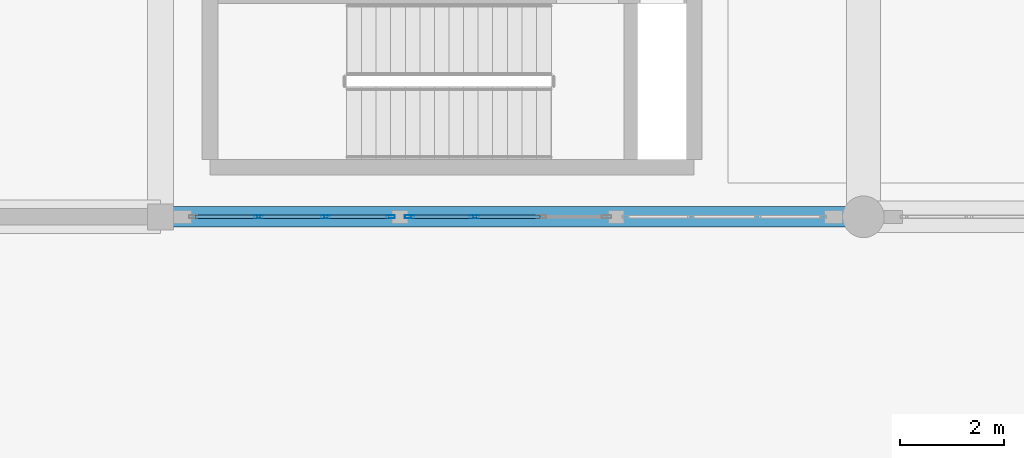
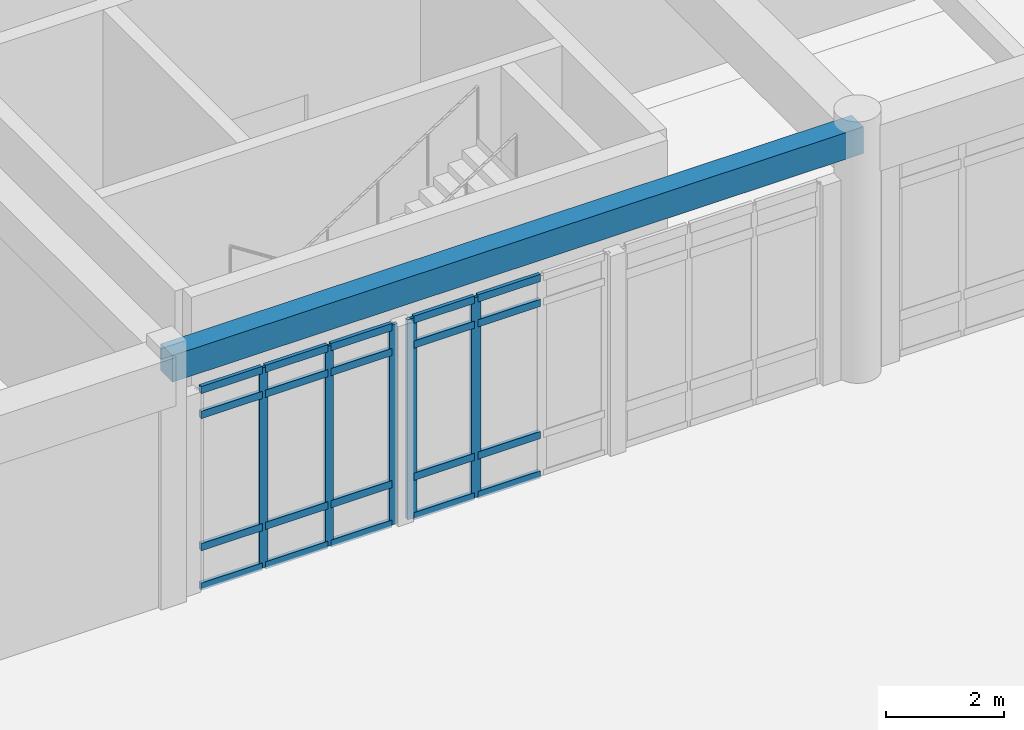
# One storey, part 47 of 138: 25 members, 1 beam, 2 elements without a shape of their own.
"""IFC4 building model written with IfcOpenShell, lengths in metres."""

from ifc_helpers import new_model, si_unit, direction, frame, origin, origin_2d, place, context, subcontext, project, spatial, rectangle, hollow_rectangle, extrude, material, layer, layer_set, material_profile, profile_set, type_object, element, aggregate, save


model = new_model("IFC4")

# Units and contexts
model_context = context("Model", 3, precision=1e-05, world=origin(), true_north=direction((0.0, 1.0)))
body_context = subcontext(model_context, "Body", "Model", "MODEL_VIEW")
ifc_project = project(units=[si_unit("LENGTHUNIT", "METRE"), si_unit("AREAUNIT", "SQUARE_METRE"), si_unit("VOLUMEUNIT", "CUBIC_METRE"), si_unit("PLANEANGLEUNIT", "RADIAN"), si_unit("MASSUNIT", "GRAM", prefix="KILO")], contexts=[model_context])

# Site, building, storey
site_placement = place(None, origin())
site = spatial("IfcSite", under=ifc_project, at=site_placement, CompositionType="ELEMENT")
building_placement = place(site_placement, origin())
building = spatial("IfcBuilding", under=site, at=building_placement, Name="Fikremerkos Civic Library", CompositionType="ELEMENT")
storey_placement = place(building_placement, origin())
storey = spatial("IfcBuildingStorey", under=building, at=storey_placement, Name="L00", CompositionType="ELEMENT", Elevation=0.0)

# Curtain wall, members
ifc_material_1 = material(Name="Anodized aluminium Frame", Category="aluminium")
ifc_layer_1 = layer(ifc_material_1, 0.159912109375, Name="Anodized aluminium Frame")
ifc_layer_set_1 = layer_set([ifc_layer_1], Name="Anodized aluminium Frame")
curtain_wall_type_1 = type_object("IfcCurtainWallType", Name="Unitised curtain wall CW-17 4600x3600", PredefinedType="USERDEFINED", material=ifc_layer_set_1)
curtain_wall_1_placement = place(storey_placement, origin())
curtain_wall_1 = element("IfcCurtainWall", 1, at=curtain_wall_1_placement, inside=storey, type_object=curtain_wall_type_1, Name="Unitised curtain wall CW-17 L00 #35", ObjectType="UNITISED CURTAIN WALL", PredefinedType="USERDEFINED")
ifc_material_profile_1 = material_profile(ifc_material_1, hollow_rectangle(XDim=0.06494140625, YDim=0.179931640625, WallThickness=0.00439453125, at=origin_2d()), Name="ALU 180x65x4.5")
ifc_profile_set_1 = profile_set([ifc_material_profile_1], Name="Anodized aluminium Frame")
member_type_1 = type_object("IfcMemberType", Name="Curtain mullion CWM-01 ALU 180x65x4.5", PredefinedType="MULLION", material=ifc_profile_set_1)
member_1_placement = place(storey_placement, frame((79.233154296875, 96.0, 0.0), z_axis=(0.0, 0.0, 1.0), x_axis=(0.0, -1.0, 0.0)))
member_1 = element("IfcMember", 2, at=member_1_placement, type_object=member_type_1, Name="CW-17 mullion 3", PredefinedType="MULLION", context=body_context, shape_type="SweptSolid", body=[
    extrude(hollow_rectangle(XDim=0.06494140625, YDim=0.179931640625, WallThickness=0.00439453125, at=origin_2d()), origin(), (0.0, 0.0, 1.0), 4.1298828125),
])
member_2_placement = place(storey_placement, frame((77.98193359375, 96.0, 0.0), z_axis=(0.0, 0.0, 1.0), x_axis=(0.0, -1.0, 0.0)))
member_2 = element("IfcMember", 3, at=member_2_placement, type_object=member_type_1, Name="CW-17 mullion 4", PredefinedType="MULLION", context=body_context, shape_type="SweptSolid", body=[
    extrude(hollow_rectangle(XDim=0.06494140625, YDim=0.179931640625, WallThickness=0.00439453125, at=origin_2d()), origin(), (0.0, 0.0, 1.0), 4.1298828125),
])

ifc_layer_2 = layer(ifc_material_1, 0.159912109375, Name="Anodized aluminium Frame")
ifc_layer_set_2 = layer_set([ifc_layer_2], Name="Anodized aluminium Frame")
curtain_wall_type_2 = type_object("IfcCurtainWallType", Name="Unitised curtain wall CW-18 2700x3400", PredefinedType="USERDEFINED", material=ifc_layer_set_2)
curtain_wall_2_placement = place(storey_placement, origin())
curtain_wall_2 = element("IfcCurtainWall", 4, at=curtain_wall_2_placement, inside=storey, type_object=curtain_wall_type_2, Name="Unitised curtain wall CW-18 L00 #36", ObjectType="UNITISED CURTAIN WALL", PredefinedType="USERDEFINED")
ifc_material_profile_2 = material_profile(ifc_material_1, hollow_rectangle(XDim=0.06005859375, YDim=0.159912109375, WallThickness=0.00390625, at=origin_2d()), Name="ALU 160x60x4")
ifc_profile_set_2 = profile_set([ifc_material_profile_2], Name="Anodized aluminium Frame")
member_type_2 = type_object("IfcMemberType", Name="Curtain mullion CWM-02 ALU 160x60x4", PredefinedType="MULLION", material=ifc_profile_set_2)
member_3_placement = place(storey_placement, frame((77.619384765625, 96.0, 0.0), z_axis=(0.0, 0.0, 1.0), x_axis=(0.0, -1.0, 0.0)))
member_3 = element("IfcMember", 5, at=member_3_placement, type_object=member_type_2, Name="CW-18 mullion 1", PredefinedType="MULLION", context=body_context, shape_type="SweptSolid", body=[
    extrude(hollow_rectangle(XDim=0.06005859375, YDim=0.159912109375, WallThickness=0.00390625, at=origin_2d()), origin(), (0.0, 0.0, 1.0), 4.1298828125),
])
member_4_placement = place(storey_placement, frame((76.365478515625, 96.0, 0.0), z_axis=(0.0, 0.0, 1.0), x_axis=(0.0, -1.0, 0.0)))
member_4 = element("IfcMember", 6, at=member_4_placement, type_object=member_type_2, Name="CW-18 mullion 2", PredefinedType="MULLION", context=body_context, shape_type="SweptSolid", body=[
    extrude(hollow_rectangle(XDim=0.06005859375, YDim=0.159912109375, WallThickness=0.00390625, at=origin_2d()), origin(), (0.0, 0.0, 1.0), 4.1298828125),
])
member_5_placement = place(storey_placement, frame((75.081787109375, 96.0, 0.0), z_axis=(0.0, 0.0, 1.0), x_axis=(0.0, -1.0, 0.0)))
member_5 = element("IfcMember", 7, at=member_5_placement, type_object=member_type_2, Name="CW-18 mullion 3", PredefinedType="MULLION", context=body_context, shape_type="SweptSolid", body=[
    extrude(hollow_rectangle(XDim=0.06005859375, YDim=0.159912109375, WallThickness=0.00390625, at=origin_2d()), origin(), (0.0, 0.0, 1.0), 4.1298828125),
])

# Member
ifc_material_profile_3 = material_profile(ifc_material_1, hollow_rectangle(XDim=0.070068359375, YDim=0.14990234375, WallThickness=0.00439453125, at=origin_2d()), Name="ALU 150x70x4.5")
ifc_profile_set_3 = profile_set([ifc_material_profile_3], Name="Anodized aluminium Frame")
member_type_3 = type_object("IfcMemberType", Name="Curtain transom CWT-01 ALU 150x70x4.5", PredefinedType="USERDEFINED", material=ifc_profile_set_3)
member_6_placement = place(storey_placement, frame((80.484375, 96.0, 0.034912109375), z_axis=(-1.0, 0.0, 0.0), x_axis=(0.0, -1.0, 0.0)))
member_6 = element("IfcMember", 8, at=member_6_placement, type_object=member_type_3, Name="CW-17 transom 2.1", ObjectType="TRANSOM", PredefinedType="USERDEFINED", context=body_context, shape_type="SweptSolid", body=[
    extrude(hollow_rectangle(XDim=0.070068359375, YDim=0.14990234375, WallThickness=0.00439453125, at=origin_2d()), origin(), (0.0, 0.0, 1.0), 1.21875),
])

member_7_placement = place(storey_placement, frame((80.484375, 96.0, 0.85009765625), z_axis=(-1.0, 0.0, 0.0), x_axis=(0.0, -1.0, 0.0)))
member_7 = element("IfcMember", 9, at=member_7_placement, type_object=member_type_3, Name="CW-17 transom 2.2", ObjectType="TRANSOM", PredefinedType="USERDEFINED", context=body_context, shape_type="SweptSolid", body=[
    extrude(hollow_rectangle(XDim=0.070068359375, YDim=0.14990234375, WallThickness=0.00439453125, at=origin_2d()), origin(), (0.0, 0.0, 1.0), 1.21875),
])

member_8_placement = place(storey_placement, frame((80.484375, 96.0, 3.580078125), z_axis=(-1.0, 0.0, 0.0), x_axis=(0.0, -1.0, 0.0)))
member_8 = element("IfcMember", 10, at=member_8_placement, type_object=member_type_3, Name="CW-17 transom 2.3", ObjectType="TRANSOM", PredefinedType="USERDEFINED", context=body_context, shape_type="SweptSolid", body=[
    extrude(hollow_rectangle(XDim=0.070068359375, YDim=0.14990234375, WallThickness=0.00439453125, at=origin_2d()), origin(), (0.0, 0.0, 1.0), 1.21875),
])

member_9_placement = place(storey_placement, frame((80.484375, 96.0, 4.094970703125), z_axis=(-1.0, 0.0, 0.0), x_axis=(0.0, -1.0, 0.0)))
member_9 = element("IfcMember", 11, at=member_9_placement, type_object=member_type_3, Name="CW-17 transom 2.4", ObjectType="TRANSOM", PredefinedType="USERDEFINED", context=body_context, shape_type="SweptSolid", body=[
    extrude(hollow_rectangle(XDim=0.070068359375, YDim=0.14990234375, WallThickness=0.00439453125, at=origin_2d()), origin(), (0.0, 0.0, 1.0), 1.21875),
])

member_10_placement = place(storey_placement, frame((79.20068359375, 96.0, 0.034912109375), z_axis=(-1.0, 0.0, 0.0), x_axis=(0.0, -1.0, 0.0)))
member_10 = element("IfcMember", 12, at=member_10_placement, type_object=member_type_3, Name="CW-17 transom 3.1", ObjectType="TRANSOM", PredefinedType="USERDEFINED", context=body_context, shape_type="SweptSolid", body=[
    extrude(hollow_rectangle(XDim=0.070068359375, YDim=0.14990234375, WallThickness=0.00439453125, at=origin_2d()), origin(), (0.0, 0.0, 1.0), 1.186279296875),
])

member_11_placement = place(storey_placement, frame((79.20068359375, 96.0, 0.85009765625), z_axis=(-1.0, 0.0, 0.0), x_axis=(0.0, -1.0, 0.0)))
member_11 = element("IfcMember", 13, at=member_11_placement, type_object=member_type_3, Name="CW-17 transom 3.2", ObjectType="TRANSOM", PredefinedType="USERDEFINED", context=body_context, shape_type="SweptSolid", body=[
    extrude(hollow_rectangle(XDim=0.070068359375, YDim=0.14990234375, WallThickness=0.00439453125, at=origin_2d()), origin(), (0.0, 0.0, 1.0), 1.186279296875),
])

member_12_placement = place(storey_placement, frame((79.20068359375, 96.0, 3.580078125), z_axis=(-1.0, 0.0, 0.0), x_axis=(0.0, -1.0, 0.0)))
member_12 = element("IfcMember", 14, at=member_12_placement, type_object=member_type_3, Name="CW-17 transom 3.3", ObjectType="TRANSOM", PredefinedType="USERDEFINED", context=body_context, shape_type="SweptSolid", body=[
    extrude(hollow_rectangle(XDim=0.070068359375, YDim=0.14990234375, WallThickness=0.00439453125, at=origin_2d()), origin(), (0.0, 0.0, 1.0), 1.186279296875),
])

member_13_placement = place(storey_placement, frame((79.20068359375, 96.0, 4.094970703125), z_axis=(-1.0, 0.0, 0.0), x_axis=(0.0, -1.0, 0.0)))
member_13 = element("IfcMember", 15, at=member_13_placement, type_object=member_type_3, Name="CW-17 transom 3.4", ObjectType="TRANSOM", PredefinedType="USERDEFINED", context=body_context, shape_type="SweptSolid", body=[
    extrude(hollow_rectangle(XDim=0.070068359375, YDim=0.14990234375, WallThickness=0.00439453125, at=origin_2d()), origin(), (0.0, 0.0, 1.0), 1.186279296875),
])

aggregate(curtain_wall_1, [member_1, member_2, member_6, member_7, member_8, member_9, member_10, member_11, member_12, member_13])

member_14_placement = place(storey_placement, frame((77.58935546875, 96.0, 0.034912109375), z_axis=(-1.0, 0.0, 0.0), x_axis=(0.0, -1.0, 0.0)))
member_14 = element("IfcMember", 16, at=member_14_placement, type_object=member_type_3, Name="CW-18 transom 1.1", ObjectType="TRANSOM", PredefinedType="USERDEFINED", context=body_context, shape_type="SweptSolid", body=[
    extrude(hollow_rectangle(XDim=0.070068359375, YDim=0.14990234375, WallThickness=0.00439453125, at=origin_2d()), origin(), (0.0, 0.0, 1.0), 1.19384765625),
])

member_15_placement = place(storey_placement, frame((77.58935546875, 96.0, 0.85009765625), z_axis=(-1.0, 0.0, 0.0), x_axis=(0.0, -1.0, 0.0)))
member_15 = element("IfcMember", 17, at=member_15_placement, type_object=member_type_3, Name="CW-18 transom 1.2", ObjectType="TRANSOM", PredefinedType="USERDEFINED", context=body_context, shape_type="SweptSolid", body=[
    extrude(hollow_rectangle(XDim=0.070068359375, YDim=0.14990234375, WallThickness=0.00439453125, at=origin_2d()), origin(), (0.0, 0.0, 1.0), 1.19384765625),
])

member_16_placement = place(storey_placement, frame((77.58935546875, 96.0, 3.580078125), z_axis=(-1.0, 0.0, 0.0), x_axis=(0.0, -1.0, 0.0)))
member_16 = element("IfcMember", 18, at=member_16_placement, type_object=member_type_3, Name="CW-18 transom 1.3", ObjectType="TRANSOM", PredefinedType="USERDEFINED", context=body_context, shape_type="SweptSolid", body=[
    extrude(hollow_rectangle(XDim=0.070068359375, YDim=0.14990234375, WallThickness=0.00439453125, at=origin_2d()), origin(), (0.0, 0.0, 1.0), 1.19384765625),
])

member_17_placement = place(storey_placement, frame((77.58935546875, 96.0, 4.094970703125), z_axis=(-1.0, 0.0, 0.0), x_axis=(0.0, -1.0, 0.0)))
member_17 = element("IfcMember", 19, at=member_17_placement, type_object=member_type_3, Name="CW-18 transom 1.4", ObjectType="TRANSOM", PredefinedType="USERDEFINED", context=body_context, shape_type="SweptSolid", body=[
    extrude(hollow_rectangle(XDim=0.070068359375, YDim=0.14990234375, WallThickness=0.00439453125, at=origin_2d()), origin(), (0.0, 0.0, 1.0), 1.19384765625),
])

member_18_placement = place(storey_placement, frame((76.33544921875, 96.0, 0.034912109375), z_axis=(-1.0, 0.0, 0.0), x_axis=(0.0, -1.0, 0.0)))
member_18 = element("IfcMember", 20, at=member_18_placement, type_object=member_type_3, Name="CW-18 transom 2.1", ObjectType="TRANSOM", PredefinedType="USERDEFINED", context=body_context, shape_type="SweptSolid", body=[
    extrude(hollow_rectangle(XDim=0.070068359375, YDim=0.14990234375, WallThickness=0.00439453125, at=origin_2d()), origin(), (0.0, 0.0, 1.0), 1.2236328125),
])

member_19_placement = place(storey_placement, frame((76.33544921875, 96.0, 0.85009765625), z_axis=(-1.0, 0.0, 0.0), x_axis=(0.0, -1.0, 0.0)))
member_19 = element("IfcMember", 21, at=member_19_placement, type_object=member_type_3, Name="CW-18 transom 2.2", ObjectType="TRANSOM", PredefinedType="USERDEFINED", context=body_context, shape_type="SweptSolid", body=[
    extrude(hollow_rectangle(XDim=0.070068359375, YDim=0.14990234375, WallThickness=0.00439453125, at=origin_2d()), origin(), (0.0, 0.0, 1.0), 1.2236328125),
])

member_20_placement = place(storey_placement, frame((76.33544921875, 96.0, 3.580078125), z_axis=(-1.0, 0.0, 0.0), x_axis=(0.0, -1.0, 0.0)))
member_20 = element("IfcMember", 22, at=member_20_placement, type_object=member_type_3, Name="CW-18 transom 2.3", ObjectType="TRANSOM", PredefinedType="USERDEFINED", context=body_context, shape_type="SweptSolid", body=[
    extrude(hollow_rectangle(XDim=0.070068359375, YDim=0.14990234375, WallThickness=0.00439453125, at=origin_2d()), origin(), (0.0, 0.0, 1.0), 1.2236328125),
])

member_21_placement = place(storey_placement, frame((76.33544921875, 96.0, 4.094970703125), z_axis=(-1.0, 0.0, 0.0), x_axis=(0.0, -1.0, 0.0)))
member_21 = element("IfcMember", 23, at=member_21_placement, type_object=member_type_3, Name="CW-18 transom 2.4", ObjectType="TRANSOM", PredefinedType="USERDEFINED", context=body_context, shape_type="SweptSolid", body=[
    extrude(hollow_rectangle(XDim=0.070068359375, YDim=0.14990234375, WallThickness=0.00439453125, at=origin_2d()), origin(), (0.0, 0.0, 1.0), 1.2236328125),
])

member_22_placement = place(storey_placement, frame((75.0517578125, 96.0, 0.034912109375), z_axis=(-1.0, 0.0, 0.0), x_axis=(0.0, -1.0, 0.0)))
member_22 = element("IfcMember", 24, at=member_22_placement, type_object=member_type_3, Name="CW-18 transom 3.1", ObjectType="TRANSOM", PredefinedType="USERDEFINED", context=body_context, shape_type="SweptSolid", body=[
    extrude(hollow_rectangle(XDim=0.070068359375, YDim=0.14990234375, WallThickness=0.00439453125, at=origin_2d()), origin(), (0.0, 0.0, 1.0), 1.19384765625),
])

member_23_placement = place(storey_placement, frame((75.0517578125, 96.0, 0.85009765625), z_axis=(-1.0, 0.0, 0.0), x_axis=(0.0, -1.0, 0.0)))
member_23 = element("IfcMember", 25, at=member_23_placement, type_object=member_type_3, Name="CW-18 transom 3.2", ObjectType="TRANSOM", PredefinedType="USERDEFINED", context=body_context, shape_type="SweptSolid", body=[
    extrude(hollow_rectangle(XDim=0.070068359375, YDim=0.14990234375, WallThickness=0.00439453125, at=origin_2d()), origin(), (0.0, 0.0, 1.0), 1.19384765625),
])

member_24_placement = place(storey_placement, frame((75.0517578125, 96.0, 3.580078125), z_axis=(-1.0, 0.0, 0.0), x_axis=(0.0, -1.0, 0.0)))
member_24 = element("IfcMember", 26, at=member_24_placement, type_object=member_type_3, Name="CW-18 transom 3.3", ObjectType="TRANSOM", PredefinedType="USERDEFINED", context=body_context, shape_type="SweptSolid", body=[
    extrude(hollow_rectangle(XDim=0.070068359375, YDim=0.14990234375, WallThickness=0.00439453125, at=origin_2d()), origin(), (0.0, 0.0, 1.0), 1.19384765625),
])

member_25_placement = place(storey_placement, frame((75.0517578125, 96.0, 4.094970703125), z_axis=(-1.0, 0.0, 0.0), x_axis=(0.0, -1.0, 0.0)))
member_25 = element("IfcMember", 27, at=member_25_placement, type_object=member_type_3, Name="CW-18 transom 3.4", ObjectType="TRANSOM", PredefinedType="USERDEFINED", context=body_context, shape_type="SweptSolid", body=[
    extrude(hollow_rectangle(XDim=0.070068359375, YDim=0.14990234375, WallThickness=0.00439453125, at=origin_2d()), origin(), (0.0, 0.0, 1.0), 1.19384765625),
])

aggregate(curtain_wall_2, [member_3, member_4, member_5, member_14, member_15, member_16, member_17, member_18, member_19, member_20, member_21, member_22, member_23, member_24, member_25])

# Beam
ifc_material_2 = material(Name="Concrete C40/50", Category="concrete")
ifc_material_profile_4 = material_profile(ifc_material_2, rectangle(XDim=0.39990234375, YDim=0.550048828125, at=origin_2d()), Name="RC 400x550")
ifc_profile_set_4 = profile_set([ifc_material_profile_4], Name="Concrete C40/50")
beam_type = type_object("IfcBeamType", Name="Primary girder BM-26 RC 400x550", PredefinedType="BEAM", material=ifc_profile_set_4)
beam_placement = place(storey_placement, frame((73.199951171875, 96.0, 4.864990234375), z_axis=(1.0, 0.0, 0.0), x_axis=(0.0, 1.0, 0.0)))
element("IfcBeam", 28, at=beam_placement, inside=storey, type_object=beam_type, Name="Primary girder BM-26 L00 grid M", PredefinedType="BEAM", context=body_context, shape_type="SweptSolid", body=[
    extrude(rectangle(XDim=0.39990234375, YDim=0.550048828125, at=origin_2d()), origin(), (0.0, 0.0, 1.0), 13.5),
])

save(model, "model.ifc")
